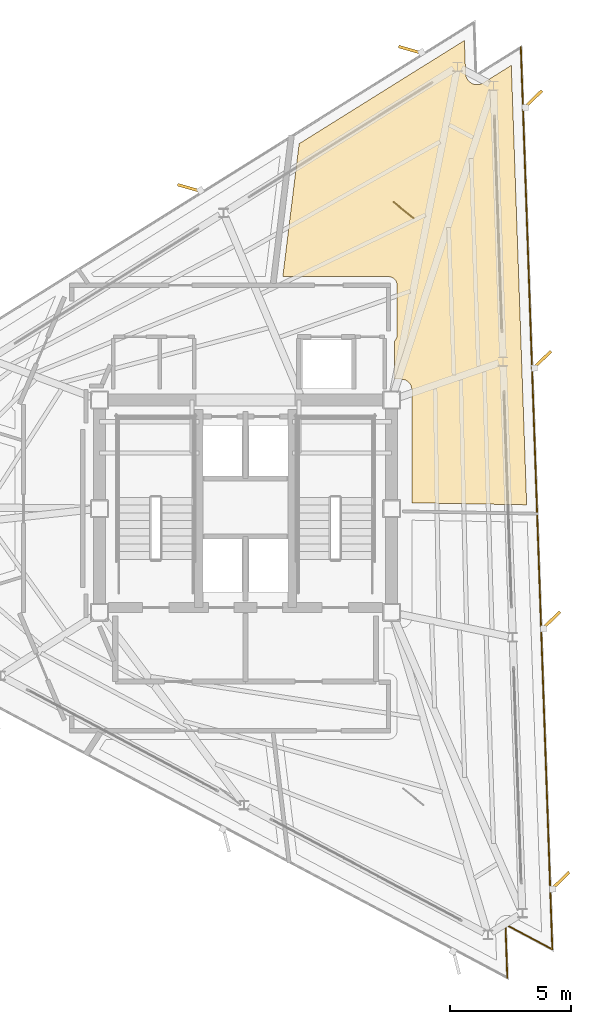
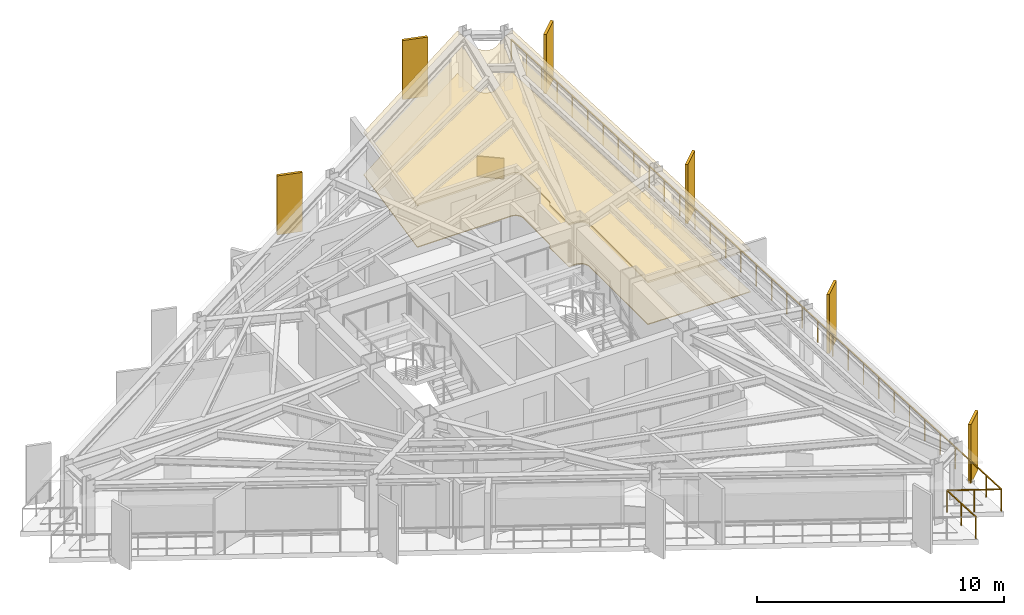
# One storey, part 13 of 13: 6 shading devices, 3 coverings, 1 railing.
"""IFC4 building model written with IfcOpenShell, lengths in metres."""

import ifcopenshell
import ifcopenshell.guid

model = None  # the IFC model being written
_history = None  # IfcOwnerHistory: only IFC2X3 demands one
_inside = {}  # id of a spatial element -> (the spatial element, [elements in it])
_under = {}  # id of a project, library or spatial element -> (it, [spatial elements below it])
_declared = {}  # id of a project -> (the project, [libraries it declares])
_typed = {}  # id of a type object -> (the type object, [elements of that type])
_made_of = {}  # id of a material, layer set ... -> (it, [elements and type objects made of it])


def new_model(schema):
    """Start an empty IFC model of exactly this schema.

    Asked for "IFC4X3", IfcOpenShell would pick the latest addendum, in which some entities
    have other attributes; the version numbers below select the first issue.
    IFC2X3 requires an IfcOwnerHistory on every rooted entity: one is made here for all.
    """
    global model, _history
    if schema == "IFC4X3":
        model = ifcopenshell.file(schema_version=(4, 3, 0, 0))
    else:
        model = ifcopenshell.file(schema=schema)
    _inside.clear()
    _under.clear()
    _declared.clear()
    _typed.clear()
    _made_of.clear()
    _history = None
    if model.schema == "IFC2X3":
        org = make("IfcOrganization", Name="unknown")
        user = make(
            "IfcPersonAndOrganization",
            ThePerson=make("IfcPerson", FamilyName="unknown"),
            TheOrganization=org,
        )
        app = make(
            "IfcApplication",
            ApplicationDeveloper=org,
            Version="unknown",
            ApplicationFullName="unknown",
            ApplicationIdentifier="unknown",
        )
        _history = make(
            "IfcOwnerHistory",
            OwningUser=user,
            OwningApplication=app,
            ChangeAction="ADDED",
            CreationDate=0,
        )
    return model


def make(cls, **values):
    """One entity of the class cls with the attributes given. An attribute that is None is left unset."""
    return model.create_entity(
        cls, **{name: value for name, value in values.items() if value is not None}
    )


def rooted(cls, **values):
    """An entity with a GlobalId (a new one), such as an element, a storey or a relation."""
    return make(cls, GlobalId=ifcopenshell.guid.new(), OwnerHistory=_history, **values)


def si_unit(unit_type, name, prefix=None):
    """IfcSIUnit, for example si_unit("LENGTHUNIT", "METRE", prefix="MILLI")."""
    return make("IfcSIUnit", UnitType=unit_type, Prefix=prefix, Name=name)


def assignment(units):
    """IfcUnitAssignment: the units of a project."""
    return None if units is None else make("IfcUnitAssignment", Units=units)


def point(xyz):
    """IfcCartesianPoint."""
    return None if xyz is None else make("IfcCartesianPoint", Coordinates=xyz)


def direction(xyz):
    """IfcDirection."""
    return None if xyz is None else make("IfcDirection", DirectionRatios=xyz)


def frame(location, z_axis=None, x_axis=None):
    """IfcAxis2Placement3D, a coordinate frame: its origin and axes. An axis left out is left unset."""
    return make(
        "IfcAxis2Placement3D",
        Location=point(location),
        Axis=direction(z_axis),
        RefDirection=direction(x_axis),
    )


def frame_2d(location, x_axis=None):
    """IfcAxis2Placement2D, a coordinate frame in the plane: its origin and x axis."""
    return make(
        "IfcAxis2Placement2D", Location=point(location), RefDirection=direction(x_axis)
    )


def origin():
    """The frame at (0, 0, 0) with its axes left unset."""
    return frame((0.0, 0.0, 0.0))


def origin_2d():
    """The frame at (0, 0) in the plane with its x axis left unset."""
    return frame_2d((0.0, 0.0))


def place(relative_to, where):
    """IfcLocalPlacement: puts the frame where relative to a parent placement (None: the world)."""
    return make(
        "IfcLocalPlacement", PlacementRelTo=relative_to, RelativePlacement=where
    )


def context(
    kind, dimensions, precision=None, world=None, true_north=None, identifier=None
):
    """IfcGeometricRepresentationContext, for example the 3D "Model" context."""
    return make(
        "IfcGeometricRepresentationContext",
        ContextIdentifier=identifier,
        ContextType=kind,
        CoordinateSpaceDimension=dimensions,
        Precision=precision,
        WorldCoordinateSystem=world,
        TrueNorth=true_north,
    )


def subcontext(parent, identifier, kind, view, scale=None):
    """IfcGeometricRepresentationSubContext, for example "Body" below "Model"."""
    return make(
        "IfcGeometricRepresentationSubContext",
        ContextIdentifier=identifier,
        ContextType=kind,
        ParentContext=parent,
        TargetScale=scale,
        TargetView=view,
    )


def project(units=None, contexts=None):
    """IfcProject with its units and contexts."""
    return rooted(
        "IfcProject",
        Name="project",
        RepresentationContexts=contexts,
        UnitsInContext=assignment(units),
    )


def spatial(cls, under=None, at=None, **own):
    """A site, building, storey or space (cls), placed at a placement, below another one or the project."""
    s = rooted(cls, ObjectPlacement=at, **own)
    if under is not None:
        _under.setdefault(under.id(), (under, []))[1].append(s)
    return s


def polyline(points):
    """IfcPolyline through the points."""
    return make("IfcPolyline", Points=[point(p) for p in points])


def profile(cls, at=None, kind="AREA", **sizes):
    """A parametric profile (cls). Its sizes go by their IFC names, for example OverallWidth=200.0."""
    return make(cls, ProfileType=kind, Position=at, **sizes)


def rectangle(**sizes):
    """IfcRectangleProfileDef."""
    return profile("IfcRectangleProfileDef", **sizes)


def outline(outer, holes=None, kind="AREA"):
    """IfcArbitraryClosedProfileDef: a profile drawn as a closed curve; with holes, ...WithVoids."""
    if holes is None:
        return make("IfcArbitraryClosedProfileDef", ProfileType=kind, OuterCurve=outer)
    return make(
        "IfcArbitraryProfileDefWithVoids",
        ProfileType=kind,
        OuterCurve=outer,
        InnerCurves=holes,
    )


def extrude(swept, where, along, depth):
    """IfcExtrudedAreaSolid: the profile swept, set in the frame where, extruded along a direction by depth."""
    return make(
        "IfcExtrudedAreaSolid",
        SweptArea=swept,
        Position=where,
        ExtrudedDirection=direction(along),
        Depth=depth,
    )


def shape(context_of_items, identifier, shape_type, items):
    """IfcShapeRepresentation: the items that make up one representation, for example the "Body"."""
    return make(
        "IfcShapeRepresentation",
        ContextOfItems=context_of_items,
        RepresentationIdentifier=identifier,
        RepresentationType=shape_type,
        Items=items,
    )


def material(Name=None, Category=None):
    """IfcMaterial."""
    return make("IfcMaterial", Name=Name, Category=Category)


def layer(
    of_material, thickness, ventilated=None, Name=None, Category=None, Priority=None
):
    """IfcMaterialLayer: one layer of a wall or slab, of a material (None: an air gap)."""
    return make(
        "IfcMaterialLayer",
        Material=of_material,
        LayerThickness=thickness,
        IsVentilated=ventilated,
        Name=Name,
        Category=Category,
        Priority=Priority,
    )


def layer_set(layers, Name=None):
    """IfcMaterialLayerSet."""
    return make("IfcMaterialLayerSet", MaterialLayers=layers, LayerSetName=Name)


def made_of(thing, what):
    """Note that an element or type object is made of a material, layer set ...; save() writes the relation."""
    if what is not None:
        _made_of.setdefault(what.id(), (what, []))[1].append(thing)
    return thing


def type_object(cls, material=None, **own):
    """A type object (cls), such as IfcWallType, which elements share."""
    return made_of(rooted(cls, **own), material)


def element(
    cls,
    number,
    at=None,
    inside=None,
    cuts=None,
    type_object=None,
    material=None,
    context=None,
    identifier="Body",
    shape_type=None,
    held_by="IfcProductDefinitionShape",
    body=None,
    shapes=None,
    **own,
):
    """One element of the class cls, such as IfcWall. Its Tag is "e" and its number.

    at: its placement. inside: the storey or other place that contains it. cuts: it is an
    opening in that element (IfcRelVoidsElement). A single representation is given by context,
    identifier, shape_type and body (its items); several are given by shapes. held_by: the class
    of the entity that holds the representations. save() writes the other relations.
    """
    e = rooted(cls, Tag="e%d" % number, ObjectPlacement=at, **own)
    if body is not None:
        shapes = [shape(context, identifier, shape_type, body)]
    if shapes is not None:
        e.Representation = make(held_by, Representations=shapes)
    if inside is not None:
        _inside.setdefault(inside.id(), (inside, []))[1].append(e)
    if cuts is not None:
        rooted(
            "IfcRelVoidsElement", RelatingBuildingElement=cuts, RelatedOpeningElement=e
        )
    if type_object is not None:
        _typed.setdefault(type_object.id(), (type_object, []))[1].append(e)
    return made_of(e, material)


def aggregate(whole, parts):
    """IfcRelAggregates: a whole, such as a stair, and the parts it consists of."""
    return rooted("IfcRelAggregates", RelatingObject=whole, RelatedObjects=parts)


def save(model, path):
    """Write the relations noted so far, then the file.

    IfcRelAggregates (storeys below a building ...), IfcRelContainedInSpatialStructure (elements
    in a storey), IfcRelDefinesByType, IfcRelAssociatesMaterial and IfcRelDeclares: one each for
    every whole, place, type object, material and project.
    """
    for whole, parts in _under.values():
        aggregate(whole, parts)
    for where, things in _inside.values():
        rooted(
            "IfcRelContainedInSpatialStructure",
            RelatedElements=things,
            RelatingStructure=where,
        )
    for kind, things in _typed.values():
        rooted("IfcRelDefinesByType", RelatedObjects=things, RelatingType=kind)
    for what, things in _made_of.values():
        rooted("IfcRelAssociatesMaterial", RelatedObjects=things, RelatingMaterial=what)
    for by, libraries in _declared.values():
        rooted("IfcRelDeclares", RelatingContext=by, RelatedDefinitions=libraries)
    model.write(path)


model = new_model("IFC4")

# Units and contexts
model_context = context("Model", 3, precision=1e-05, world=origin(), true_north=direction((0.0, 1.0)))
body_context = subcontext(model_context, "Body", "Model", "MODEL_VIEW")
ifc_project = project(units=[si_unit("LENGTHUNIT", "METRE"), si_unit("AREAUNIT", "SQUARE_METRE"), si_unit("VOLUMEUNIT", "CUBIC_METRE"), si_unit("PLANEANGLEUNIT", "RADIAN"), si_unit("MASSUNIT", "GRAM", prefix="KILO")], contexts=[model_context])

# Site, building, storey
site_placement = place(None, origin())
site = spatial("IfcSite", under=ifc_project, at=site_placement, CompositionType="ELEMENT")
building_placement = place(site_placement, origin())
building = spatial("IfcBuilding", under=site, at=building_placement, Name="Rocaltana Carrier Exchange", CompositionType="ELEMENT")
storey_placement = place(building_placement, frame((0.0, 0.0, 208.800048828125)))
storey = spatial("IfcBuildingStorey", under=building, at=storey_placement, Name="L66", CompositionType="ELEMENT", Elevation=208.800048828125)

# Coverings
ifc_material_1 = material(Name="Honed Bogota Sandstone Tile", Category="masonry")
ifc_layer_1 = layer(ifc_material_1, 0.0400390625)
ifc_layer_set_1 = layer_set([ifc_layer_1], Name="Honed Bogota Sandstone Tile")
covering_type_1 = type_object("IfcCoveringType", Name="Honed Stone Lobby Flooring 40", PredefinedType="FLOORING", material=ifc_layer_set_1)
covering_1_placement = place(storey_placement, origin())
element("IfcCovering", 1, at=covering_1_placement, inside=storey, type_object=covering_type_1, Name="L66 Carrier Peering Suite Finish Floor", PredefinedType="FLOORING", context=body_context, shape_type="SweptSolid", body=[
    extrude(outline(polyline([(6.159912109375, 6.931884765625), (6.16455078125, 6.93603515625), (6.18408203125, 6.955322265625), (6.189208984375, 6.961181640625), (6.206787109375, 6.982421875), (6.21142578125, 6.98876953125), (6.226806640625, 7.01171875), (6.230712890625, 7.018310546875), (6.24365234375, 7.04248046875), (6.2470703125, 7.0498046875), (6.257568359375, 7.0751953125), (6.26025390625, 7.08251953125), (6.268310546875, 7.108642578125), (6.27001953125, 7.116455078125), (6.275390625, 7.143310546875), (6.276611328125, 7.151123046875), (6.279296875, 7.178466796875), (6.27978515625, 7.186279296875), (6.280029296875, 7.199951171875), (6.280029296875, 9.25), (6.27978515625, 9.263671875), (6.279296875, 9.271484375), (6.276611328125, 9.298828125), (6.275390625, 9.306640625), (6.27001953125, 9.33349609375), (6.268310546875, 9.34130859375), (6.26025390625, 9.36767578125), (6.257568359375, 9.375), (6.2470703125, 9.400390625), (6.24365234375, 9.407470703125), (6.230712890625, 9.431640625), (6.226806640625, 9.4384765625), (6.21142578125, 9.461181640625), (6.206787109375, 9.467529296875), (6.189208984375, 9.48876953125), (6.18408203125, 9.49462890625), (6.16455078125, 9.513916015625), (6.15869140625, 9.519287109375), (6.137451171875, 9.53662109375), (6.131103515625, 9.54150390625), (6.1083984375, 9.556640625), (6.101806640625, 9.560791015625), (6.077392578125, 9.57373046875), (6.0703125, 9.576904296875), (6.044921875, 9.58740234375), (6.03759765625, 9.590087890625), (6.01123046875, 9.59814453125), (6.003662109375, 9.60009765625), (5.976806640625, 9.60546875), (5.968994140625, 9.606689453125), (5.941650390625, 9.609375), (5.93359375, 9.609619140625), (5.919921875, 9.610107421875), (1.542724609375, 9.610107421875), (2.218994140625, 15.1171875), (9.067626953125, 19.39697265625), (9.115478515625, 18.029052734375), (9.1162109375, 18.01513671875), (9.117919921875, 17.995361328125), (9.121826171875, 17.9677734375), (9.12548828125, 17.947998046875), (9.1318359375, 17.9208984375), (9.137451171875, 17.90185546875), (9.146484375, 17.87548828125), (9.154052734375, 17.85693359375), (9.166015625, 17.83154296875), (9.175048828125, 17.81396484375), (9.189208984375, 17.789794921875), (9.2001953125, 17.773193359375), (9.216796875, 17.750732421875), (9.2294921875, 17.7353515625), (9.248046875, 17.714599609375), (9.26220703125, 17.700439453125), (9.28271484375, 17.681640625), (9.298095703125, 17.6689453125), (9.320556640625, 17.65234375), (9.337158203125, 17.641357421875), (9.361083984375, 17.626953125), (9.37890625, 17.61767578125), (9.404052734375, 17.605712890625), (9.422607421875, 17.59814453125), (9.44873046875, 17.5888671875), (9.468017578125, 17.583251953125), (9.4951171875, 17.57666015625), (9.5146484375, 17.572998046875), (9.542236328125, 17.569091796875), (9.56201171875, 17.567138671875), (9.590087890625, 17.566162109375), (9.610107421875, 17.56640625), (9.6376953125, 17.56787109375), (9.65771484375, 17.570068359375), (9.685302734375, 17.57470703125), (9.70458984375, 17.57861328125), (9.731689453125, 17.5859375), (9.750732421875, 17.591796875), (9.77685546875, 17.601806640625), (9.795166015625, 17.609619140625), (9.820068359375, 17.6220703125), (9.83740234375, 17.631591796875), (9.849609375, 17.638916015625), (11.01025390625, 18.364013671875), (11.64599609375, 0.15673828125), (6.889892578125, 0.23974609375), (6.889892578125, 4.919921875), (6.8896484375, 4.93359375), (6.888916015625, 4.949462890625), (6.88623046875, 4.976806640625), (6.8837890625, 4.9921875), (6.87841796875, 5.019287109375), (6.874755859375, 5.034423828125), (6.86669921875, 5.060791015625), (6.861572265625, 5.07568359375), (6.850830078125, 5.100830078125), (6.84423828125, 5.114990234375), (6.831298828125, 5.139404296875), (6.8232421875, 5.15283203125), (6.807861328125, 5.17578125), (6.798583984375, 5.188232421875), (6.781005859375, 5.20947265625), (6.7705078125, 5.22119140625), (6.751220703125, 5.240478515625), (6.739501953125, 5.251220703125), (6.71826171875, 5.2685546875), (6.705810546875, 5.27783203125), (6.682861328125, 5.293212890625), (6.66943359375, 5.30126953125), (6.64501953125, 5.314208984375), (6.630859375, 5.32080078125), (6.605712890625, 5.33154296875), (6.5908203125, 5.336669921875), (6.564453125, 5.3447265625), (6.54931640625, 5.348388671875), (6.522216796875, 5.35400390625), (6.5068359375, 5.356201171875), (6.4794921875, 5.35888671875), (6.463623046875, 5.359619140625), (6.449951171875, 5.360107421875), (6.159912109375, 5.360107421875), (6.159912109375, 6.931884765625)])), origin(), (0.0, 0.0, 1.0), 0.0400390625),
])
ifc_material_2 = material(Name="Anodised Aluminium 6063-T6", Category="aluminium")
ifc_layer_2 = layer(ifc_material_2, 0.0849609375)
ifc_layer_set_2 = layer_set([ifc_layer_2], Name="Anodised Aluminium 6063-T6")
covering_type_2 = type_object("IfcCoveringType", Name="Linear Baffle Acoustic Ceiling 85", PredefinedType="CEILING", material=ifc_layer_set_2)
covering_2_placement = place(storey_placement, frame((0.0, 0.0, 2.06298828125)))
element("IfcCovering", 2, at=covering_2_placement, inside=storey, type_object=covering_type_2, Name="L66 Carrier Peering Suite Acoustic Ceiling", PredefinedType="CEILING", context=body_context, shape_type="SweptSolid", body=[
    extrude(outline(polyline([(6.159912109375, 6.931884765625), (6.16455078125, 6.93603515625), (6.18408203125, 6.955322265625), (6.189208984375, 6.961181640625), (6.206787109375, 6.982421875), (6.21142578125, 6.98876953125), (6.226806640625, 7.01171875), (6.230712890625, 7.018310546875), (6.24365234375, 7.04248046875), (6.2470703125, 7.0498046875), (6.257568359375, 7.0751953125), (6.26025390625, 7.08251953125), (6.268310546875, 7.108642578125), (6.27001953125, 7.116455078125), (6.275390625, 7.143310546875), (6.276611328125, 7.151123046875), (6.279296875, 7.178466796875), (6.27978515625, 7.186279296875), (6.280029296875, 7.199951171875), (6.280029296875, 9.25), (6.27978515625, 9.263671875), (6.279296875, 9.271484375), (6.276611328125, 9.298828125), (6.275390625, 9.306640625), (6.27001953125, 9.33349609375), (6.268310546875, 9.34130859375), (6.26025390625, 9.36767578125), (6.257568359375, 9.375), (6.2470703125, 9.400390625), (6.24365234375, 9.407470703125), (6.230712890625, 9.431640625), (6.226806640625, 9.4384765625), (6.21142578125, 9.461181640625), (6.206787109375, 9.467529296875), (6.189208984375, 9.48876953125), (6.18408203125, 9.49462890625), (6.16455078125, 9.513916015625), (6.15869140625, 9.519287109375), (6.137451171875, 9.53662109375), (6.131103515625, 9.54150390625), (6.1083984375, 9.556640625), (6.101806640625, 9.560791015625), (6.077392578125, 9.57373046875), (6.0703125, 9.576904296875), (6.044921875, 9.58740234375), (6.03759765625, 9.590087890625), (6.01123046875, 9.59814453125), (6.003662109375, 9.60009765625), (5.976806640625, 9.60546875), (5.968994140625, 9.606689453125), (5.941650390625, 9.609375), (5.93359375, 9.609619140625), (5.919921875, 9.610107421875), (1.542724609375, 9.610107421875), (2.218994140625, 15.1171875), (9.067626953125, 19.39697265625), (9.115478515625, 18.029052734375), (9.1162109375, 18.01513671875), (9.117919921875, 17.995361328125), (9.121826171875, 17.9677734375), (9.12548828125, 17.947998046875), (9.1318359375, 17.9208984375), (9.137451171875, 17.90185546875), (9.146484375, 17.87548828125), (9.154052734375, 17.85693359375), (9.166015625, 17.83154296875), (9.175048828125, 17.81396484375), (9.189208984375, 17.789794921875), (9.2001953125, 17.773193359375), (9.216796875, 17.750732421875), (9.2294921875, 17.7353515625), (9.248046875, 17.714599609375), (9.26220703125, 17.700439453125), (9.28271484375, 17.681640625), (9.298095703125, 17.6689453125), (9.320556640625, 17.65234375), (9.337158203125, 17.641357421875), (9.361083984375, 17.626953125), (9.37890625, 17.61767578125), (9.404052734375, 17.605712890625), (9.422607421875, 17.59814453125), (9.44873046875, 17.5888671875), (9.468017578125, 17.583251953125), (9.4951171875, 17.57666015625), (9.5146484375, 17.572998046875), (9.542236328125, 17.569091796875), (9.56201171875, 17.567138671875), (9.590087890625, 17.566162109375), (9.610107421875, 17.56640625), (9.6376953125, 17.56787109375), (9.65771484375, 17.570068359375), (9.685302734375, 17.57470703125), (9.70458984375, 17.57861328125), (9.731689453125, 17.5859375), (9.750732421875, 17.591796875), (9.77685546875, 17.601806640625), (9.795166015625, 17.609619140625), (9.820068359375, 17.6220703125), (9.83740234375, 17.631591796875), (9.849609375, 17.638916015625), (11.01025390625, 18.364013671875), (11.64599609375, 0.15673828125), (6.889892578125, 0.23974609375), (6.889892578125, 4.919921875), (6.8896484375, 4.93359375), (6.888916015625, 4.949462890625), (6.88623046875, 4.976806640625), (6.8837890625, 4.9921875), (6.87841796875, 5.019287109375), (6.874755859375, 5.034423828125), (6.86669921875, 5.060791015625), (6.861572265625, 5.07568359375), (6.850830078125, 5.100830078125), (6.84423828125, 5.114990234375), (6.831298828125, 5.139404296875), (6.8232421875, 5.15283203125), (6.807861328125, 5.17578125), (6.798583984375, 5.188232421875), (6.781005859375, 5.20947265625), (6.7705078125, 5.22119140625), (6.751220703125, 5.240478515625), (6.739501953125, 5.251220703125), (6.71826171875, 5.2685546875), (6.705810546875, 5.27783203125), (6.682861328125, 5.293212890625), (6.66943359375, 5.30126953125), (6.64501953125, 5.314208984375), (6.630859375, 5.32080078125), (6.605712890625, 5.33154296875), (6.5908203125, 5.336669921875), (6.564453125, 5.3447265625), (6.54931640625, 5.348388671875), (6.522216796875, 5.35400390625), (6.5068359375, 5.356201171875), (6.4794921875, 5.35888671875), (6.463623046875, 5.359619140625), (6.449951171875, 5.360107421875), (6.159912109375, 5.360107421875), (6.159912109375, 6.931884765625)])), origin(), (0.0, 0.0, 1.0), 0.0849609375),
])
ifc_material_3 = material(Name="Honed Piedra Muneca Sandstone", Category="masonry")
ifc_layer_3 = layer(ifc_material_3, 0.034912109375)
ifc_layer_set_3 = layer_set([ifc_layer_3], Name="Honed Piedra Muneca Sandstone")
covering_type_3 = type_object("IfcCoveringType", Name="Stone Facade Cladding 35", PredefinedType="CLADDING", material=ifc_layer_set_3)
covering_3_placement = place(storey_placement, frame((6.55029296875, 12.363525390625, 0.0), z_axis=(0.0, 0.0, 1.0), x_axis=(-0.777145961457, 0.62932039105, 0.0)))
element("IfcCovering", 3, at=covering_3_placement, inside=storey, type_object=covering_type_3, Name="L66 Stone Facade Cladding Panel 5", PredefinedType="CLADDING", context=body_context, shape_type="SweptSolid", body=[
    extrude(rectangle(XDim=1.10009765625, YDim=0.034912109375, at=origin_2d()), origin(), (0.0, 0.0, 1.0), 1.050048828125),
])

# Shading devices
ifc_material_4 = material(Name="Honed Bogota Sandstone & Concrete C45/55", Category="masonry")
ifc_layer_4 = layer(ifc_material_4, 0.1201171875)
ifc_layer_set_4 = layer_set([ifc_layer_4], Name="Honed Bogota Sandstone & Concrete C45/55")
shading_device_type = type_object("IfcShadingDeviceType", Name="Upper Sandstone Shading Fin 1050x120", PredefinedType="USERDEFINED", material=ifc_layer_set_4)
for number, where, z_axis, x_axis, name in (
    (4, (13.03125, -15.43017578125, -0.1201171875), (0.0, 0.0, 1.0), (0.719339800339, 0.694658370459, 0.0), "L66 Sandstone Vertical Fin F1-01"),
    (5, (12.654296875, -4.63671875, -0.1201171875), (0.0, 0.0, 1.0), (0.719339800339, 0.694658370459, 0.0), "L66 Sandstone Vertical Fin F1-02"),
    (6, (12.27734375, 6.15673828125, -0.1201171875), (0.0, 0.0, 1.0), (0.719339800339, 0.694658370459, 0.0), "L66 Sandstone Vertical Fin F1-03"),
    (7, (11.900390625, 16.9501953125, -0.1201171875), (0.0, 0.0, 1.0), (0.719339800339, 0.694658370459, 0.0), "L66 Sandstone Vertical Fin F1-04"),
    (8, (6.84716796875, 19.00048828125, -0.1201171875), (0.0, 0.0, 1.0), (-0.961261695938, 0.275637355817, 0.0), "L66 Sandstone Vertical Fin F2-01"),
    (9, (-2.311767578125, 13.27734375, -0.1201171875), (0.0, 0.0, 1.0), (-0.961261695938, 0.275637355817, 0.0), "L66 Sandstone Vertical Fin F2-02"),
):
    element("IfcShadingDevice", number, at=place(storey_placement, frame(where, z_axis=z_axis, x_axis=x_axis)), inside=storey, type_object=shading_device_type, Name=name, ObjectType="FIN", PredefinedType="USERDEFINED", context=body_context, shape_type="SweptSolid", body=[
        extrude(rectangle(XDim=1.050048828125, YDim=0.1201171875, at=origin_2d()), origin(), (0.0, 0.0, 1.0), 2.91796875),
    ])

# Railing
ifc_material_5 = material(Name="Powder-Coated Aluminium 6063-T6", Category="aluminium")
ifc_layer_5 = layer(ifc_material_5, 0.06005859375)
ifc_layer_set_5 = layer_set([ifc_layer_5], Name="Powder-Coated Aluminium 6063-T6")
railing_type = type_object("IfcRailingType", Name="Wind-Floor & Terrace Perimeter Guardrail 1100", PredefinedType="GUARDRAIL", material=ifc_layer_set_5)
railing_placement = place(storey_placement, frame((11.404541015625, 19.105712890625, 0.0)))
element("IfcRailing", 10, at=railing_placement, inside=storey, type_object=railing_type, Name="L66 Perimeter Balcony Guardrail 3", PredefinedType="GUARDRAIL", context=body_context, shape_type="SweptSolid", body=[
    extrude(rectangle(XDim=0.048095703125, YDim=0.048095703125, at=origin_2d()), frame((0.0, 0.0, 1.076171875), z_axis=(0.034898534283, -0.999390860627, 0.0), x_axis=(0.999390860627, 0.034898534283, 0.0)), (0.0, 0.0, 1.0), 37.39208984375),
    extrude(rectangle(XDim=0.048095703125, YDim=0.048095703125, at=origin_2d()), frame((1.304931640625, -37.369384765625, 1.076171875), z_axis=(-0.882914480843, 0.469533832133, 0.0), x_axis=(-0.469533832133, -0.882914480843, 0.0)), (0.0, 0.0, 1.0), 2.199951171875),
    extrude(rectangle(XDim=0.048095703125, YDim=0.048095703125, at=origin_2d()), frame((-0.637451171875, -36.33642578125, 1.076171875), z_axis=(0.034844472857, -0.999392746978, 0.0), x_axis=(0.999392746978, 0.034844472857, 0.0)), (0.0, 0.0, 1.0), 2.199951171875),
    extrude(rectangle(XDim=0.0419921875, YDim=0.0419921875, at=origin_2d()), origin(), (0.0, 0.0, 1.0), 1.052001953125),
    extrude(rectangle(XDim=0.0419921875, YDim=0.0419921875, at=origin_2d()), frame((0.040771484375, -1.167724609375, 0.0)), (0.0, 0.0, 1.0), 1.052001953125),
    extrude(rectangle(XDim=0.0419921875, YDim=0.0419921875, at=origin_2d()), frame((0.08154296875, -2.335693359375, 0.0)), (0.0, 0.0, 1.0), 1.052001953125),
    extrude(rectangle(XDim=0.0419921875, YDim=0.0419921875, at=origin_2d()), frame((0.122314453125, -3.50341796875, 0.0)), (0.0, 0.0, 1.0), 1.052001953125),
    extrude(rectangle(XDim=0.0419921875, YDim=0.0419921875, at=origin_2d()), frame((0.1630859375, -4.671142578125, 0.0)), (0.0, 0.0, 1.0), 1.052001953125),
    extrude(rectangle(XDim=0.0419921875, YDim=0.0419921875, at=origin_2d()), frame((0.203857421875, -5.8388671875, 0.0)), (0.0, 0.0, 1.0), 1.052001953125),
    extrude(rectangle(XDim=0.0419921875, YDim=0.0419921875, at=origin_2d()), frame((0.24462890625, -7.0068359375, 0.0)), (0.0, 0.0, 1.0), 1.052001953125),
    extrude(rectangle(XDim=0.0419921875, YDim=0.0419921875, at=origin_2d()), frame((0.285400390625, -8.174560546875, 0.0)), (0.0, 0.0, 1.0), 1.052001953125),
    extrude(rectangle(XDim=0.0419921875, YDim=0.0419921875, at=origin_2d()), frame((0.326171875, -9.34228515625, 0.0)), (0.0, 0.0, 1.0), 1.052001953125),
    extrude(rectangle(XDim=0.0419921875, YDim=0.0419921875, at=origin_2d()), frame((0.366943359375, -10.51025390625, 0.0)), (0.0, 0.0, 1.0), 1.052001953125),
    extrude(rectangle(XDim=0.0419921875, YDim=0.0419921875, at=origin_2d()), frame((0.40771484375, -11.677978515625, 0.0)), (0.0, 0.0, 1.0), 1.052001953125),
    extrude(rectangle(XDim=0.0419921875, YDim=0.0419921875, at=origin_2d()), frame((0.448486328125, -12.845703125, 0.0)), (0.0, 0.0, 1.0), 1.052001953125),
    extrude(rectangle(XDim=0.0419921875, YDim=0.0419921875, at=origin_2d()), frame((0.4892578125, -14.013427734375, 0.0)), (0.0, 0.0, 1.0), 1.052001953125),
    extrude(rectangle(XDim=0.0419921875, YDim=0.0419921875, at=origin_2d()), frame((0.530029296875, -15.181396484375, 0.0)), (0.0, 0.0, 1.0), 1.052001953125),
    extrude(rectangle(XDim=0.0419921875, YDim=0.0419921875, at=origin_2d()), frame((0.57080078125, -16.34912109375, 0.0)), (0.0, 0.0, 1.0), 1.052001953125),
    extrude(rectangle(XDim=0.0419921875, YDim=0.0419921875, at=origin_2d()), frame((0.611572265625, -17.516845703125, 0.0)), (0.0, 0.0, 1.0), 1.052001953125),
    extrude(rectangle(XDim=0.0419921875, YDim=0.0419921875, at=origin_2d()), frame((0.65234375, -18.6845703125, 0.0)), (0.0, 0.0, 1.0), 1.052001953125),
    extrude(rectangle(XDim=0.0419921875, YDim=0.0419921875, at=origin_2d()), frame((0.693359375, -19.8525390625, 0.0)), (0.0, 0.0, 1.0), 1.052001953125),
    extrude(rectangle(XDim=0.0419921875, YDim=0.0419921875, at=origin_2d()), frame((0.734130859375, -21.020263671875, 0.0)), (0.0, 0.0, 1.0), 1.052001953125),
    extrude(rectangle(XDim=0.0419921875, YDim=0.0419921875, at=origin_2d()), frame((0.77490234375, -22.18798828125, 0.0)), (0.0, 0.0, 1.0), 1.052001953125),
    extrude(rectangle(XDim=0.0419921875, YDim=0.0419921875, at=origin_2d()), frame((0.815673828125, -23.35595703125, 0.0)), (0.0, 0.0, 1.0), 1.052001953125),
    extrude(rectangle(XDim=0.0419921875, YDim=0.0419921875, at=origin_2d()), frame((0.8564453125, -24.523681640625, 0.0)), (0.0, 0.0, 1.0), 1.052001953125),
    extrude(rectangle(XDim=0.0419921875, YDim=0.0419921875, at=origin_2d()), frame((0.897216796875, -25.69140625, 0.0)), (0.0, 0.0, 1.0), 1.052001953125),
    extrude(rectangle(XDim=0.0419921875, YDim=0.0419921875, at=origin_2d()), frame((0.93798828125, -26.859130859375, 0.0)), (0.0, 0.0, 1.0), 1.052001953125),
    extrude(rectangle(XDim=0.0419921875, YDim=0.0419921875, at=origin_2d()), frame((0.978759765625, -28.027099609375, 0.0)), (0.0, 0.0, 1.0), 1.052001953125),
    extrude(rectangle(XDim=0.0419921875, YDim=0.0419921875, at=origin_2d()), frame((1.01953125, -29.19482421875, 0.0)), (0.0, 0.0, 1.0), 1.052001953125),
    extrude(rectangle(XDim=0.0419921875, YDim=0.0419921875, at=origin_2d()), frame((1.060302734375, -30.362548828125, 0.0)), (0.0, 0.0, 1.0), 1.052001953125),
    extrude(rectangle(XDim=0.0419921875, YDim=0.0419921875, at=origin_2d()), frame((1.10107421875, -31.530517578125, 0.0)), (0.0, 0.0, 1.0), 1.052001953125),
    extrude(rectangle(XDim=0.0419921875, YDim=0.0419921875, at=origin_2d()), frame((1.141845703125, -32.6982421875, 0.0)), (0.0, 0.0, 1.0), 1.052001953125),
    extrude(rectangle(XDim=0.0419921875, YDim=0.0419921875, at=origin_2d()), frame((1.1826171875, -33.865966796875, 0.0)), (0.0, 0.0, 1.0), 1.052001953125),
    extrude(rectangle(XDim=0.0419921875, YDim=0.0419921875, at=origin_2d()), frame((1.223388671875, -35.03369140625, 0.0)), (0.0, 0.0, 1.0), 1.052001953125),
    extrude(rectangle(XDim=0.0419921875, YDim=0.0419921875, at=origin_2d()), frame((1.26416015625, -36.20166015625, 0.0)), (0.0, 0.0, 1.0), 1.052001953125),
    extrude(rectangle(XDim=0.0419921875, YDim=0.0419921875, at=origin_2d()), frame((1.304931640625, -37.369384765625, 0.0)), (0.0, 0.0, 1.0), 1.052001953125),
    extrude(rectangle(XDim=0.0419921875, YDim=0.0419921875, at=origin_2d()), frame((0.333740234375, -36.85302734375, 0.0)), (0.0, 0.0, 1.0), 1.052001953125),
    extrude(rectangle(XDim=0.0419921875, YDim=0.0419921875, at=origin_2d()), frame((-0.637451171875, -36.33642578125, 0.0)), (0.0, 0.0, 1.0), 1.052001953125),
    extrude(rectangle(XDim=0.0419921875, YDim=0.0419921875, at=origin_2d()), frame((-0.59912109375, -37.435791015625, 0.0)), (0.0, 0.0, 1.0), 1.052001953125),
    extrude(rectangle(XDim=0.0419921875, YDim=0.0419921875, at=origin_2d()), frame((-0.560791015625, -38.53515625, 0.0)), (0.0, 0.0, 1.0), 1.052001953125),
])

save(model, "model.ifc")
